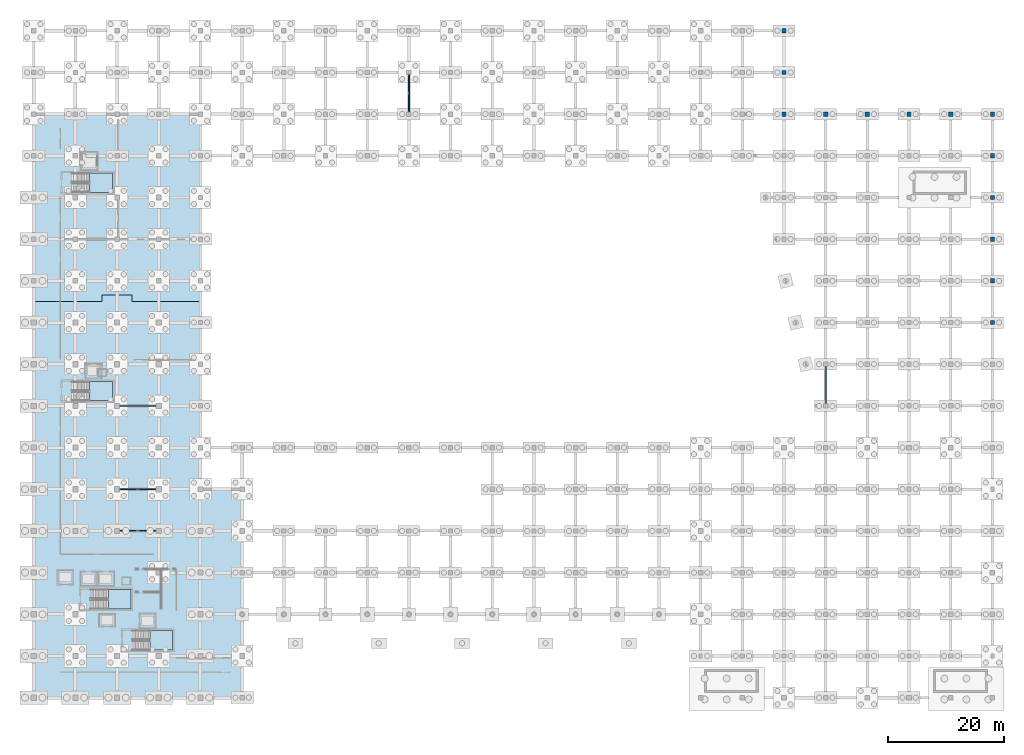
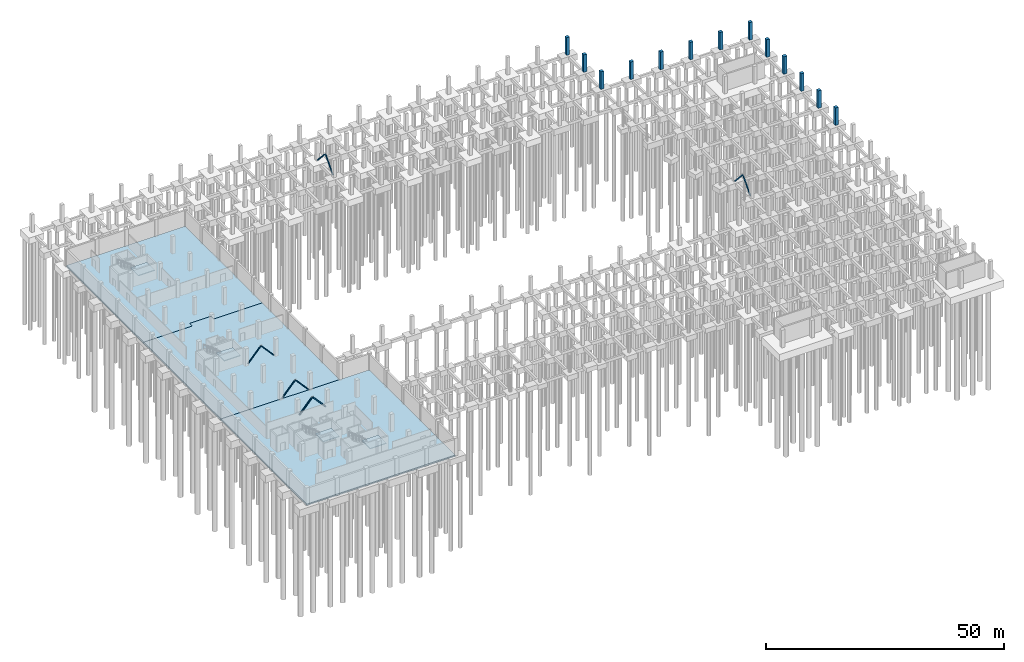
# One storey, part 22 of 36: 13 columns, 10 members, 7 slabs, 4 elements without a shape of their own.
"""IFC4 building model written with IfcOpenShell, lengths in metres."""

from ifc_helpers import new_model, si_unit, direction, frame, origin, origin_2d, place, context, subcontext, project, spatial, polyline, rectangle, hollow_rectangle, hollow_circle, outline, extrude, material, layer, layer_set, material_profile, profile_set, type_object, element, aggregate, save


model = new_model("IFC4")

# Units and contexts
model_context = context("Model", 3, precision=1e-05, world=origin(), true_north=direction((0.0, 1.0)))
body_context = subcontext(model_context, "Body", "Model", "MODEL_VIEW")
ifc_project = project(units=[si_unit("LENGTHUNIT", "METRE"), si_unit("AREAUNIT", "SQUARE_METRE"), si_unit("VOLUMEUNIT", "CUBIC_METRE"), si_unit("PLANEANGLEUNIT", "RADIAN"), si_unit("MASSUNIT", "GRAM", prefix="KILO")], contexts=[model_context])

# Site, building, storey
site_placement = place(None, origin())
site = spatial("IfcSite", under=ifc_project, at=site_placement, CompositionType="ELEMENT")
building_placement = place(site_placement, origin())
building = spatial("IfcBuilding", under=site, at=building_placement, Name="Kalmorath City Hall", CompositionType="ELEMENT")
storey_placement = place(building_placement, frame((0.0, 0.0, -4.5)))
storey = spatial("IfcBuildingStorey", under=building, at=storey_placement, Name="B1", CompositionType="ELEMENT", Elevation=-4.5)

# Columns
ifc_material_1 = material(Name="Concrete C50/60", Category="concrete")
ifc_material_profile_1 = material_profile(ifc_material_1, rectangle(XDim=0.75, YDim=0.75, at=origin_2d()), Name="RC-COL-750X750")
ifc_profile_set_1 = profile_set([ifc_material_profile_1], Name="Concrete C50/60")
column_type = type_object("IfcColumnType", Name="Concrete column 750x750", PredefinedType="COLUMN", material=ifc_profile_set_1)
for number, where, z_axis, x_axis, name in (
    (1, (129.60009765625, 100.800048828125, 0.0), (0.0, 0.0, 1.0), (1.0, 0.0, 0.0), "B1 column C3 (19/15)"),
    (2, (129.60009765625, 108.0, 0.0), (0.0, 0.0, 1.0), (1.0, 0.0, 0.0), "B1 column C3 (19/16)"),
    (3, (129.60009765625, 115.199951171875, 0.0), (0.0, 0.0, 1.0), (1.0, 0.0, 0.0), "B1 column C3 (19/17)"),
    (4, (136.800048828125, 100.800048828125, 0.0), (0.0, 0.0, 1.0), (1.0, 0.0, 0.0), "B1 column C3 (20/15)"),
    (5, (144.0, 100.800048828125, 0.0), (0.0, 0.0, 1.0), (1.0, 0.0, 0.0), "B1 column C3 (21/15)"),
    (6, (151.199951171875, 100.800048828125, 0.0), (0.0, 0.0, 1.0), (1.0, 0.0, 0.0), "B1 column C3 (22/15)"),
    (7, (158.39990234375, 100.800048828125, 0.0), (0.0, 0.0, 1.0), (1.0, 0.0, 0.0), "B1 column C3 (23/15)"),
    (8, (165.60009765625, 64.800048828125, 0.0), (0.0, 0.0, 1.0), (1.0, 0.0, 0.0), "B1 column C3 (24/10)"),
    (9, (165.60009765625, 72.0, 0.0), (0.0, 0.0, 1.0), (1.0, 0.0, 0.0), "B1 column C3 (24/11)"),
    (10, (165.60009765625, 79.199951171875, 0.0), (0.0, 0.0, 1.0), (1.0, 0.0, 0.0), "B1 column C3 (24/12)"),
    (11, (165.60009765625, 86.39990234375, 0.0), (0.0, 0.0, 1.0), (1.0, 0.0, 0.0), "B1 column C3 (24/13)"),
    (12, (165.60009765625, 93.60009765625, 0.0), (0.0, 0.0, 1.0), (1.0, 0.0, 0.0), "B1 column C3 (24/14)"),
    (13, (165.60009765625, 100.800048828125, 0.0), (0.0, 0.0, 1.0), (1.0, 0.0, 0.0), "B1 column C3 (24/15)"),
):
    element("IfcColumn", number, at=place(storey_placement, frame(where, z_axis=z_axis, x_axis=x_axis)), inside=storey, type_object=column_type, Name=name, PredefinedType="COLUMN", context=body_context, shape_type="SweptSolid", body=[
        extrude(rectangle(XDim=0.75, YDim=0.75, at=origin_2d()), origin(), (0.0, 0.0, 1.0), 4.5),
    ])

# Members
ifc_material_2 = material(Name="Steel ASTM A500 Grade C", Category="steel")
ifc_material_profile_2 = material_profile(ifc_material_2, hollow_rectangle(XDim=0.177978515625, YDim=0.177978515625, WallThickness=0.0087890625, InnerFilletRadius=0.0087890625, OuterFilletRadius=0.017822265625, at=origin_2d()), Name="HSS178X178X9.5")
ifc_profile_set_2 = profile_set([ifc_material_profile_2], Name="Steel ASTM A500 Grade C")
member_type_1 = type_object("IfcMemberType", Name="Steel seismic brace HSS178X178X9.5", PredefinedType="BRACE", material=ifc_profile_set_2)
for number, where, z_axis, x_axis, name in (
    (14, (14.85009765625, 50.39990234375, 0.179931640625), (0.666843203662, 0.0, 0.745198055371), (0.0, 1.0, 0.0), "B1 chevron brace BR3 3A"),
    (15, (21.14990234375, 50.39990234375, 0.179931640625), (-0.666843203662, 0.0, 0.745198055371), (0.0, -1.0, 0.0), "B1 chevron brace BR3 3B"),
):
    element("IfcMember", number, at=place(storey_placement, frame(where, z_axis=z_axis, x_axis=x_axis)), inside=storey, type_object=member_type_1, Name=name, PredefinedType="BRACE", context=body_context, shape_type="SweptSolid", body=[
        extrude(hollow_rectangle(XDim=0.177978515625, YDim=0.177978515625, WallThickness=0.0087890625, InnerFilletRadius=0.0087890625, OuterFilletRadius=0.017822265625, at=origin_2d()), origin(), (0.0, 0.0, 1.0), 4.7236328125),
    ])
ifc_material_3 = material(Name="Steel ASTM A500 Grade C", Category="steel")
ifc_material_profile_3 = material_profile(ifc_material_3, hollow_rectangle(XDim=0.202880859375, YDim=0.202880859375, WallThickness=0.01171875, InnerFilletRadius=0.01171875, OuterFilletRadius=0.023681640625, at=origin_2d()), Name="HSS203X203X12.7")
ifc_profile_set_3 = profile_set([ifc_material_profile_3], Name="Steel ASTM A500 Grade C")
member_type_2 = type_object("IfcMemberType", Name="Steel seismic chevron brace HSS203X203X12.7", PredefinedType="BRACE", material=ifc_profile_set_3)
for number, where, z_axis, x_axis, name in (
    (16, (14.85009765625, 36.0, 0.179931640625), (0.666843203662, 0.0, 0.745198055371), (0.0, 1.0, 0.0), "B1 chevron brace BR2 2A"),
    (17, (21.14990234375, 36.0, 0.179931640625), (-0.666843203662, 0.0, 0.745198055371), (0.0, -1.0, 0.0), "B1 chevron brace BR2 2B"),
):
    element("IfcMember", number, at=place(storey_placement, frame(where, z_axis=z_axis, x_axis=x_axis)), inside=storey, type_object=member_type_2, Name=name, PredefinedType="BRACE", context=body_context, shape_type="SweptSolid", body=[
        extrude(hollow_rectangle(XDim=0.202880859375, YDim=0.202880859375, WallThickness=0.01171875, InnerFilletRadius=0.01171875, OuterFilletRadius=0.023681640625, at=origin_2d()), origin(), (0.0, 0.0, 1.0), 4.7236328125),
    ])
ifc_material_4 = material(Name="Steel ASTM A500 Grade C", Category="steel")
ifc_material_profile_4 = material_profile(ifc_material_4, hollow_rectangle(XDim=0.25390625, YDim=0.25390625, WallThickness=0.01171875, InnerFilletRadius=0.01171875, OuterFilletRadius=0.023681640625, at=origin_2d()), Name="HSS254X254X12.7")
ifc_profile_set_4 = profile_set([ifc_material_profile_4], Name="Steel ASTM A500 Grade C")
member_type_3 = type_object("IfcMemberType", Name="Steel seismic chevron brace HSS254X254X12.7", PredefinedType="BRACE", material=ifc_profile_set_4)
for number, where, z_axis, x_axis, name in (
    (18, (14.85009765625, 28.800048828125, 0.179931640625), (0.666843203662, 0.0, 0.745198055371), (0.0, 1.0, 0.0), "B1 chevron brace BR1 1A"),
    (19, (21.14990234375, 28.800048828125, 0.179931640625), (-0.666843203662, 0.0, 0.745198055371), (0.0, -1.0, 0.0), "B1 chevron brace BR1 1B"),
):
    element("IfcMember", number, at=place(storey_placement, frame(where, z_axis=z_axis, x_axis=x_axis)), inside=storey, type_object=member_type_3, Name=name, PredefinedType="BRACE", context=body_context, shape_type="SweptSolid", body=[
        extrude(hollow_rectangle(XDim=0.25390625, YDim=0.25390625, WallThickness=0.01171875, InnerFilletRadius=0.01171875, OuterFilletRadius=0.023681640625, at=origin_2d()), origin(), (0.0, 0.0, 1.0), 4.7236328125),
    ])
for number, where, z_axis, x_axis, name in (
    (20, (136.800048828125, 50.77490234375, 0.179931640625), (0.0, 0.675543982015, 0.737319692104), (-1.0, 0.0, 0.0), "B1 chevron brace BR1 5A"),
    (21, (136.800048828125, 57.22509765625, 0.179931640625), (0.0, -0.675543982015, 0.737319692104), (1.0, 0.0, 0.0), "B1 chevron brace BR1 5B"),
):
    element("IfcMember", number, at=place(storey_placement, frame(where, z_axis=z_axis, x_axis=x_axis)), inside=storey, type_object=member_type_3, Name=name, PredefinedType="BRACE", context=body_context, shape_type="SweptSolid", body=[
        extrude(hollow_rectangle(XDim=0.25390625, YDim=0.25390625, WallThickness=0.01171875, InnerFilletRadius=0.01171875, OuterFilletRadius=0.023681640625, at=origin_2d()), origin(), (0.0, 0.0, 1.0), 4.774169921875),
    ])
ifc_material_5 = material(Name="Steel ASTM A500 Grade C", Category="steel")
ifc_material_profile_5 = material_profile(ifc_material_5, hollow_circle(Radius=0.162109375, WallThickness=0.01171875, at=origin_2d()), Name="HSS324X12.7")
ifc_profile_set_5 = profile_set([ifc_material_profile_5], Name="Steel ASTM A500 Grade C")
member_type_4 = type_object("IfcMemberType", Name="Steel tubular strut HSS324X12.7", PredefinedType="BRACE", material=ifc_profile_set_5)
member_1_placement = place(storey_placement, frame((64.800048828125, 101.175048828125, 0.179931640625), z_axis=(0.0, 0.675516179442, 0.737345164297), x_axis=(-1.0, 0.0, 0.0)))
element("IfcMember", 22, at=member_1_placement, inside=storey, type_object=member_type_4, Name="B1 chevron brace BR5 4A", PredefinedType="BRACE", context=body_context, shape_type="SweptSolid", body=[
    extrude(hollow_circle(Radius=0.162109375, WallThickness=0.01171875, at=origin_2d()), origin(), (0.0, 0.0, 1.0), 4.77392578125),
])
member_2_placement = place(storey_placement, frame((64.800048828125, 107.625, 0.179931640625), z_axis=(0.0, -0.675543982015, 0.737319692104), x_axis=(1.0, 0.0, 0.0)))
element("IfcMember", 23, at=member_2_placement, inside=storey, type_object=member_type_4, Name="B1 chevron brace BR5 4B", PredefinedType="BRACE", context=body_context, shape_type="SweptSolid", body=[
    extrude(hollow_circle(Radius=0.162109375, WallThickness=0.01171875, at=origin_2d()), origin(), (0.0, 0.0, 1.0), 4.774169921875),
])

# Slabs
ifc_material_6 = material(Name="Concrete C40/50", Category="concrete")
ifc_layer_1 = layer(ifc_material_6, 0.39990234375)
ifc_layer_set_1 = layer_set([ifc_layer_1], Name="Concrete C40/50")
slab_type_1 = type_object("IfcSlabType", Name="Concrete basement mat slab 400", PredefinedType="BASESLAB", material=ifc_layer_set_1)
slab_1_placement = place(storey_placement, frame((0.0, 0.0, -0.39990234375)))
element("IfcSlab", 24, at=slab_1_placement, inside=storey, type_object=slab_type_1, Name="B1 Corner Administration Block slab BS1-1", PredefinedType="BASESLAB", context=body_context, shape_type="SweptSolid", body=[
    extrude(outline(polyline([(0.0, 0.0), (0.0, 36.0), (36.0, 36.0), (36.0, 0.0), (0.0, 0.0)])), origin(), (0.0, 0.0, 1.0), 0.39990234375),
])
slab_2_placement = place(storey_placement, frame((0.0, 0.0, -0.39990234375)))
element("IfcSlab", 25, at=slab_2_placement, inside=storey, type_object=slab_type_1, Name="B1 West Sawtooth Wing and Civic Storm Arcade slab BS1-1", PredefinedType="BASESLAB", context=body_context, shape_type="SweptSolid", body=[
    extrude(outline(polyline([(11.800048828125, 68.39990234375), (11.800048828125, 69.550048828125), (17.0, 69.550048828125), (17.0, 68.39990234375), (28.800048828125, 68.39990234375), (28.800048828125, 36.0), (0.0, 36.0), (0.0, 68.39990234375), (11.800048828125, 68.39990234375)])), origin(), (0.0, 0.0, 1.0), 0.39990234375),
])
slab_3_placement = place(storey_placement, frame((0.0, 0.0, -0.39990234375)))
element("IfcSlab", 26, at=slab_3_placement, inside=storey, type_object=slab_type_1, Name="B1 West Sawtooth Wing and Civic Storm Arcade slab BS1-2", PredefinedType="BASESLAB", context=body_context, shape_type="SweptSolid", body=[
    extrude(outline(polyline([(28.800048828125, 100.800048828125), (28.800048828125, 68.39990234375), (17.0, 68.39990234375), (17.0, 69.550048828125), (11.800048828125, 69.550048828125), (11.800048828125, 68.39990234375), (0.0, 68.39990234375), (0.0, 100.800048828125), (28.800048828125, 100.800048828125)])), origin(), (0.0, 0.0, 1.0), 0.39990234375),
])

# Stair, slab
ifc_material_7 = material(Name="Concrete C40/50", Category="concrete")
stair_type_1 = type_object("IfcStairType", Name="Dogleg concrete exit stair 24R x 188mm W1600", PredefinedType="HALF_TURN_STAIR", material=ifc_material_7)
stair_1_placement = place(storey_placement, origin())
stair_1 = element("IfcStair", 27, at=stair_1_placement, inside=storey, type_object=stair_type_1, Name="B1 Protected exit stair ST-1", PredefinedType="HALF_TURN_STAIR")
ifc_material_8 = material(Name="Concrete C40/50", Category="concrete")
ifc_layer_2 = layer(ifc_material_8, 0.199951171875)
ifc_layer_set_2 = layer_set([ifc_layer_2], Name="Concrete C40/50")
slab_type_2 = type_object("IfcSlabType", Name="Concrete stair half-landing slab 200", PredefinedType="LANDING", material=ifc_layer_set_2)
slab_4_placement = place(storey_placement, frame((0.0, 0.0, 2.050048828125)))
slab_4 = element("IfcSlab", 28, at=slab_4_placement, type_object=slab_type_2, Name="ST-1 landing 1", PredefinedType="LANDING", context=body_context, shape_type="SweptSolid", body=[
    extrude(outline(polyline([(12.8798828125, 15.300048828125), (16.800048828125, 15.300048828125), (16.800048828125, 18.699951171875), (12.8798828125, 18.699951171875), (12.8798828125, 15.300048828125)])), origin(), (0.0, 0.0, 1.0), 0.199951171875),
])
aggregate(stair_1, [slab_4])

stair_2_placement = place(storey_placement, origin())
stair_2 = element("IfcStair", 29, at=stair_2_placement, inside=storey, type_object=stair_type_1, Name="B1 Protected exit stair ST-2", PredefinedType="HALF_TURN_STAIR")
slab_5_placement = place(storey_placement, frame((0.0, 0.0, 2.050048828125)))
slab_5 = element("IfcSlab", 30, at=slab_5_placement, type_object=slab_type_2, Name="ST-2 landing 1", PredefinedType="LANDING", context=body_context, shape_type="SweptSolid", body=[
    extrude(outline(polyline([(20.080078125, 8.199951171875), (24.0, 8.199951171875), (24.0, 11.60009765625), (20.080078125, 11.60009765625), (20.080078125, 8.199951171875)])), origin(), (0.0, 0.0, 1.0), 0.199951171875),
])
aggregate(stair_2, [slab_5])

ifc_material_9 = material(Name="Concrete C40/50", Category="concrete")
stair_type_2 = type_object("IfcStairType", Name="Dogleg concrete exit stair 24R x 188mm W1550", PredefinedType="HALF_TURN_STAIR", material=ifc_material_9)
stair_3_placement = place(storey_placement, origin())
stair_3 = element("IfcStair", 31, at=stair_3_placement, inside=storey, type_object=stair_type_2, Name="B1 Protected exit stair ST-3", PredefinedType="HALF_TURN_STAIR")
slab_6_placement = place(storey_placement, frame((0.0, 0.0, 2.050048828125)))
slab_6 = element("IfcSlab", 32, at=slab_6_placement, type_object=slab_type_2, Name="ST-3 landing 1", PredefinedType="LANDING", context=body_context, shape_type="SweptSolid", body=[
    extrude(outline(polyline([(9.6298828125, 51.300048828125), (13.60009765625, 51.300048828125), (13.60009765625, 54.60009765625), (9.6298828125, 54.60009765625), (9.6298828125, 51.300048828125)])), origin(), (0.0, 0.0, 1.0), 0.199951171875),
])
aggregate(stair_3, [slab_6])

stair_4_placement = place(storey_placement, origin())
stair_4 = element("IfcStair", 33, at=stair_4_placement, inside=storey, type_object=stair_type_2, Name="B1 Protected exit stair ST-4", PredefinedType="HALF_TURN_STAIR")
slab_7_placement = place(storey_placement, frame((0.0, 0.0, 2.050048828125)))
slab_7 = element("IfcSlab", 34, at=slab_7_placement, type_object=slab_type_2, Name="ST-4 landing 1", PredefinedType="LANDING", context=body_context, shape_type="SweptSolid", body=[
    extrude(outline(polyline([(9.6298828125, 87.300048828125), (13.60009765625, 87.300048828125), (13.60009765625, 90.60009765625), (9.6298828125, 90.60009765625), (9.6298828125, 87.300048828125)])), origin(), (0.0, 0.0, 1.0), 0.199951171875),
])
aggregate(stair_4, [slab_7])

save(model, "model.ifc")
